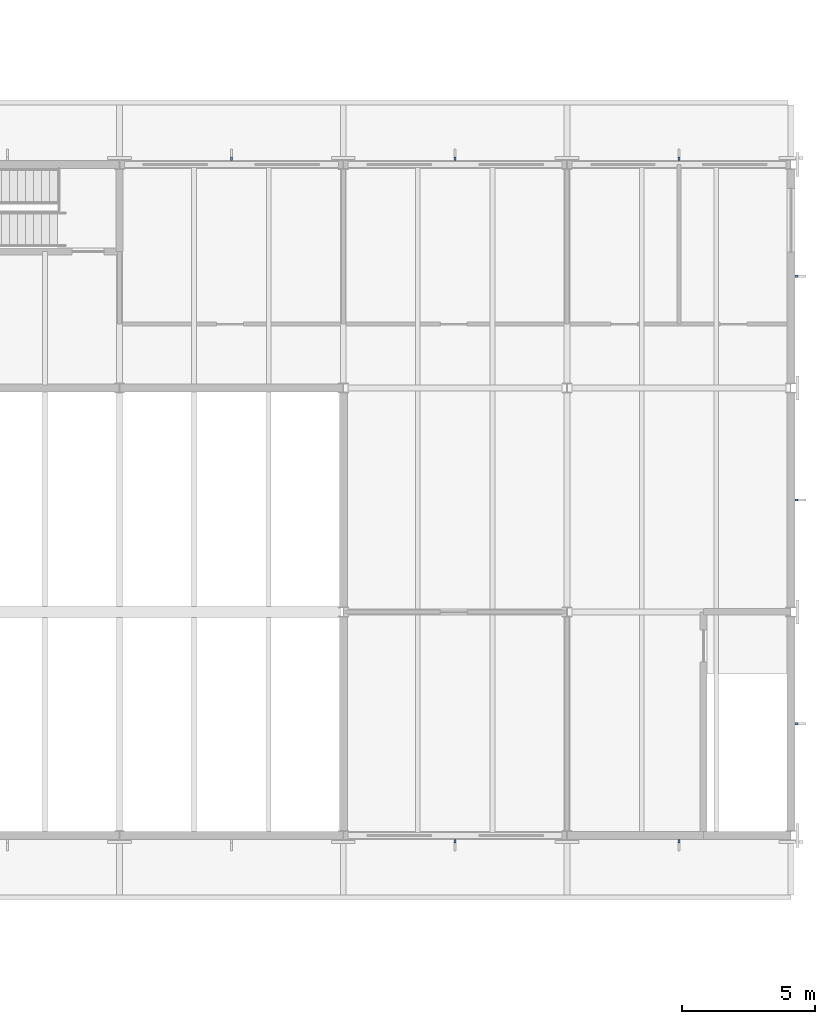
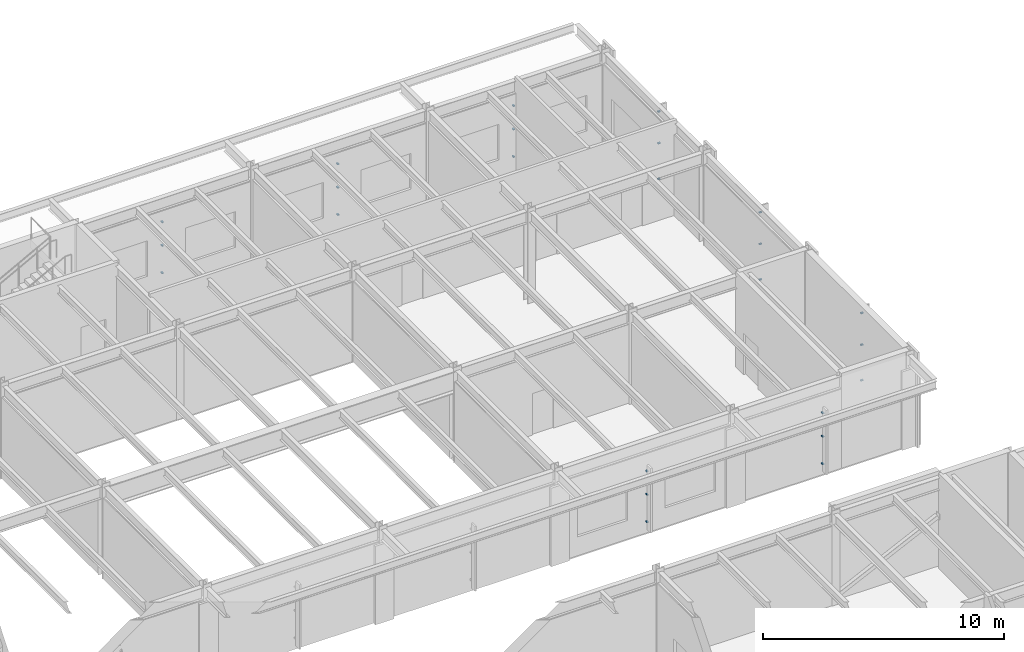
# One storey, part 100 of 116: 24 discrete accessories.
"""IFC4 building model written with IfcOpenShell, lengths in metres."""

from ifc_helpers import new_model, si_unit, direction, frame, origin, origin_2d, place, context, subcontext, project, spatial, rectangle, extrude, material, type_object, element, save


model = new_model("IFC4")

# Units and contexts
model_context = context("Model", 3, precision=1e-05, world=origin(), true_north=direction((0.0, 1.0)))
body_context = subcontext(model_context, "Body", "Model", "MODEL_VIEW")
ifc_project = project(units=[si_unit("LENGTHUNIT", "METRE"), si_unit("AREAUNIT", "SQUARE_METRE"), si_unit("VOLUMEUNIT", "CUBIC_METRE"), si_unit("PLANEANGLEUNIT", "RADIAN"), si_unit("MASSUNIT", "GRAM", prefix="KILO")], contexts=[model_context])

# Site, building, storey
site_placement = place(None, origin())
site = spatial("IfcSite", under=ifc_project, at=site_placement, CompositionType="ELEMENT")
building_placement = place(site_placement, origin())
building = spatial("IfcBuilding", under=site, at=building_placement, Name="Ljudholm Concert House", CompositionType="ELEMENT")
storey_placement = place(building_placement, frame((0.0, 0.0, 10.199951171875)))
storey = spatial("IfcBuildingStorey", under=building, at=storey_placement, Name="L02", CompositionType="ELEMENT", Elevation=10.199951171875)

# Discrete accessories
ifc_material = material(Name="Stainless steel bracket", Category="steel")
discrete_accessory_type = type_object("IfcDiscreteAccessoryType", Name="BRACKET 120", PredefinedType="BRACKET", material=ifc_material)
for number, where, z_axis, x_axis, name in (
    (1, (121.81005859375, 109.0, 0.570068359375), (0.0, 0.0, 1.0), (1.0, 0.0, 0.0), "Fin bracket"),
    (2, (121.81005859375, 109.0, 2.3701171875), (0.0, 0.0, 1.0), (1.0, 0.0, 0.0), "Fin bracket"),
    (3, (121.81005859375, 109.0, 3.969970703125), (0.0, 0.0, 1.0), (1.0, 0.0, 0.0), "Fin bracket"),
    (4, (121.81005859375, 117.39990234375, 0.570068359375), (0.0, 0.0, 1.0), (1.0, 0.0, 0.0), "Fin bracket"),
    (5, (121.81005859375, 117.39990234375, 2.3701171875), (0.0, 0.0, 1.0), (1.0, 0.0, 0.0), "Fin bracket"),
    (6, (121.81005859375, 117.39990234375, 3.969970703125), (0.0, 0.0, 1.0), (1.0, 0.0, 0.0), "Fin bracket"),
    (7, (121.81005859375, 125.800048828125, 0.570068359375), (0.0, 0.0, 1.0), (1.0, 0.0, 0.0), "Fin bracket"),
    (8, (121.81005859375, 125.800048828125, 2.3701171875), (0.0, 0.0, 1.0), (1.0, 0.0, 0.0), "Fin bracket"),
    (9, (121.81005859375, 125.800048828125, 3.969970703125), (0.0, 0.0, 1.0), (1.0, 0.0, 0.0), "Fin bracket"),
    (10, (100.60009765625, 130.2099609375, 0.570068359375), (0.0, 0.0, 1.0), (0.0, 1.0, 0.0), "Fin bracket"),
    (11, (100.60009765625, 130.2099609375, 1.955078125), (0.0, 0.0, 1.0), (0.0, 1.0, 0.0), "Fin bracket"),
    (12, (100.60009765625, 130.2099609375, 3.14013671875), (0.0, 0.0, 1.0), (0.0, 1.0, 0.0), "Fin bracket"),
    (13, (109.0, 130.2099609375, 0.570068359375), (0.0, 0.0, 1.0), (0.0, 1.0, 0.0), "Fin bracket"),
    (14, (109.0, 130.2099609375, 1.955078125), (0.0, 0.0, 1.0), (0.0, 1.0, 0.0), "Fin bracket"),
    (15, (109.0, 130.2099609375, 3.14013671875), (0.0, 0.0, 1.0), (0.0, 1.0, 0.0), "Fin bracket"),
    (16, (117.39990234375, 130.2099609375, 0.570068359375), (0.0, 0.0, 1.0), (0.0, 1.0, 0.0), "Fin bracket"),
    (17, (117.39990234375, 130.2099609375, 1.955078125), (0.0, 0.0, 1.0), (0.0, 1.0, 0.0), "Fin bracket"),
    (18, (117.39990234375, 130.2099609375, 3.14013671875), (0.0, 0.0, 1.0), (0.0, 1.0, 0.0), "Fin bracket"),
    (19, (109.0, 104.590087890625, 0.570068359375), (0.0, 0.0, 1.0), (0.0, -1.0, 0.0), "Fin bracket"),
    (20, (109.0, 104.590087890625, 1.955078125), (0.0, 0.0, 1.0), (0.0, -1.0, 0.0), "Fin bracket"),
    (21, (109.0, 104.590087890625, 3.14013671875), (0.0, 0.0, 1.0), (0.0, -1.0, 0.0), "Fin bracket"),
    (22, (117.39990234375, 104.590087890625, 0.570068359375), (0.0, 0.0, 1.0), (0.0, -1.0, 0.0), "Fin bracket"),
    (23, (117.39990234375, 104.590087890625, 1.955078125), (0.0, 0.0, 1.0), (0.0, -1.0, 0.0), "Fin bracket"),
    (24, (117.39990234375, 104.590087890625, 3.14013671875), (0.0, 0.0, 1.0), (0.0, -1.0, 0.0), "Fin bracket"),
):
    element("IfcDiscreteAccessory", number, at=place(storey_placement, frame(where, z_axis=z_axis, x_axis=x_axis)), inside=storey, type_object=discrete_accessory_type, Name=name, PredefinedType="BRACKET", context=body_context, shape_type="SweptSolid", body=[
        extrude(rectangle(XDim=0.1201171875, YDim=0.080078125, at=origin_2d()), origin(), (0.0, 0.0, 1.0), 0.06005859375),
    ])

save(model, "model.ifc")
